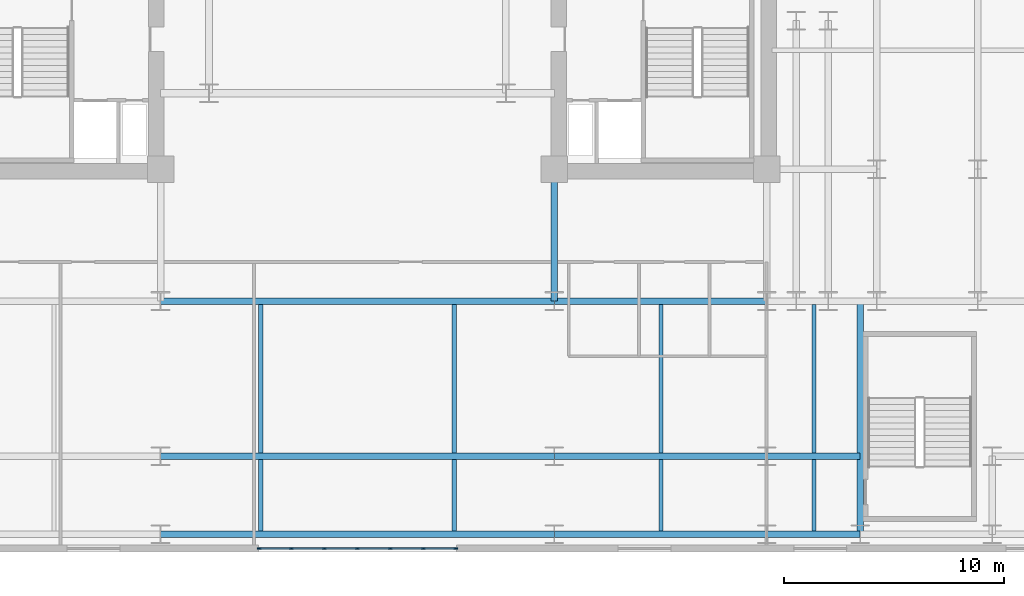
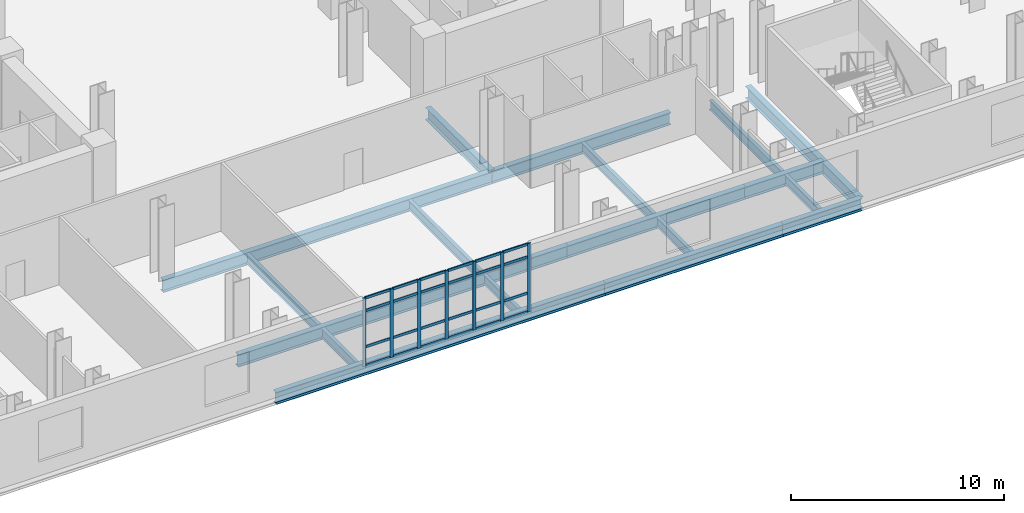
# One storey, part 3 of 13: 31 members, 18 beams, 1 element without a shape of its own.
"""IFC4 building model written with IfcOpenShell, lengths in metres."""

from ifc_helpers import new_model, si_unit, direction, frame, origin, origin_2d, place, context, subcontext, project, spatial, rectangle, i_section, extrude, material, layer, layer_set, material_profile, profile_set, type_object, element, aggregate, save


model = new_model("IFC4")

# Units and contexts
model_context = context("Model", 3, precision=1e-05, world=origin(), true_north=direction((0.0, 1.0)))
body_context = subcontext(model_context, "Body", "Model", "MODEL_VIEW")
ifc_project = project(units=[si_unit("LENGTHUNIT", "METRE"), si_unit("AREAUNIT", "SQUARE_METRE"), si_unit("VOLUMEUNIT", "CUBIC_METRE"), si_unit("PLANEANGLEUNIT", "RADIAN"), si_unit("MASSUNIT", "GRAM", prefix="KILO")], contexts=[model_context])

# Site, building, storey
site_placement = place(None, origin())
site = spatial("IfcSite", under=ifc_project, at=site_placement, CompositionType="ELEMENT")
building_placement = place(site_placement, origin())
building = spatial("IfcBuilding", under=site, at=building_placement, Name="Velakula Bourse", CompositionType="ELEMENT")
storey_placement = place(building_placement, frame((0.0, 0.0, 18.60009765625)))
storey = spatial("IfcBuildingStorey", under=building, at=storey_placement, Name="L04", CompositionType="ELEMENT", Elevation=18.60009765625)

# Beams
ifc_material_1 = material(Name="Steel IS 2062 Grade 350 (E350)", Category="steel")
ifc_material_profile_1 = material_profile(ifc_material_1, i_section(OverallWidth=0.300048828125, OverallDepth=0.699951171875, WebThickness=0.01611328125, FlangeThickness=0.02490234375, at=origin_2d()), Name="Steel IS 2062 Grade 350 (E350)")
ifc_profile_set_1 = profile_set([ifc_material_profile_1], Name="Steel IS 2062 Grade 350 (E350)")
beam_type_1 = type_object("IfcBeamType", Name="BM-POD-700", PredefinedType="BEAM", material=ifc_profile_set_1)
beam_1_placement = place(storey_placement, frame((8.949951171875, -14.60009765625, -0.60009765625), z_axis=(0.0, 1.0, 0.0), x_axis=(-1.0, 0.0, 0.0)))
element("IfcBeam", 1, at=beam_1_placement, inside=storey, type_object=beam_type_1, Name="L04 Fulcrum Grid Girder FLC-ECS", PredefinedType="BEAM", context=body_context, shape_type="SweptSolid", body=[
    extrude(i_section(OverallWidth=0.300048828125, OverallDepth=0.699951171875, WebThickness=0.01611328125, FlangeThickness=0.02490234375, at=origin_2d()), origin(), (0.0, 0.0, 1.0), 6.0),
])
beam_2_placement = place(storey_placement, frame((-8.949951171875, -14.60009765625, -0.60009765625), z_axis=(1.0, 0.0, 0.0), x_axis=(0.0, 1.0, 0.0)))
element("IfcBeam", 2, at=beam_2_placement, inside=storey, type_object=beam_type_1, Name="L04 Fulcrum Grid Girder FLC-S2", PredefinedType="BEAM", context=body_context, shape_type="SweptSolid", body=[
    extrude(i_section(OverallWidth=0.300048828125, OverallDepth=0.699951171875, WebThickness=0.01611328125, FlangeThickness=0.02490234375, at=origin_2d()), origin(), (0.0, 0.0, 1.0), 17.89990234375),
])
beam_3_placement = place(storey_placement, frame((8.949951171875, -14.60009765625, -0.60009765625), z_axis=(1.0, 0.0, 0.0), x_axis=(0.0, 1.0, 0.0)))
element("IfcBeam", 3, at=beam_3_placement, inside=storey, type_object=beam_type_1, Name="L04 Fulcrum Grid Girder FLC-S3", PredefinedType="BEAM", context=body_context, shape_type="SweptSolid", body=[
    extrude(i_section(OverallWidth=0.300048828125, OverallDepth=0.699951171875, WebThickness=0.01611328125, FlangeThickness=0.02490234375, at=origin_2d()), origin(), (0.0, 0.0, 1.0), 9.650146484375),
])
beam_4_placement = place(storey_placement, frame((22.85009765625, -25.199951171875, -0.60009765625), z_axis=(0.0, 1.0, 0.0), x_axis=(-1.0, 0.0, 0.0)))
element("IfcBeam", 4, at=beam_4_placement, inside=storey, type_object=beam_type_1, Name="L04 Podium Stairwell Header Girder STE", PredefinedType="BEAM", context=body_context, shape_type="SweptSolid", body=[
    extrude(i_section(OverallWidth=0.300048828125, OverallDepth=0.699951171875, WebThickness=0.01611328125, FlangeThickness=0.02490234375, at=origin_2d()), origin(), (0.0, 0.0, 1.0), 10.599853515625),
])
beam_5_placement = place(storey_placement, frame((-8.949951171875, -25.199951171875, -0.60009765625), z_axis=(1.0, 0.0, 0.0), x_axis=(0.0, 1.0, 0.0)))
element("IfcBeam", 5, at=beam_5_placement, inside=storey, type_object=beam_type_1, Name="L04 Podium E-W Girder 06", PredefinedType="BEAM", context=body_context, shape_type="SweptSolid", body=[
    extrude(i_section(OverallWidth=0.300048828125, OverallDepth=0.699951171875, WebThickness=0.01611328125, FlangeThickness=0.02490234375, at=origin_2d()), origin(), (0.0, 0.0, 1.0), 17.89990234375),
])
beam_6_placement = place(storey_placement, frame((8.949951171875, -25.199951171875, -0.60009765625), z_axis=(1.0, 0.0, 0.0), x_axis=(0.0, 1.0, 0.0)))
element("IfcBeam", 6, at=beam_6_placement, inside=storey, type_object=beam_type_1, Name="L04 Podium E-W Girder 07", PredefinedType="BEAM", context=body_context, shape_type="SweptSolid", body=[
    extrude(i_section(OverallWidth=0.300048828125, OverallDepth=0.699951171875, WebThickness=0.01611328125, FlangeThickness=0.02490234375, at=origin_2d()), origin(), (0.0, 0.0, 1.0), 9.650146484375),
])
beam_7_placement = place(storey_placement, frame((18.60009765625, -25.199951171875, -0.60009765625), z_axis=(1.0, 0.0, 0.0), x_axis=(0.0, 1.0, 0.0)))
element("IfcBeam", 7, at=beam_7_placement, inside=storey, type_object=beam_type_1, Name="L04 Podium E-W Girder 08", PredefinedType="BEAM", context=body_context, shape_type="SweptSolid", body=[
    extrude(i_section(OverallWidth=0.300048828125, OverallDepth=0.699951171875, WebThickness=0.01611328125, FlangeThickness=0.02490234375, at=origin_2d()), origin(), (0.0, 0.0, 1.0), 4.25),
])
beam_8_placement = place(storey_placement, frame((-8.949951171875, -21.64990234375, -0.60009765625), z_axis=(1.0, 0.0, 0.0), x_axis=(0.0, 1.0, 0.0)))
element("IfcBeam", 8, at=beam_8_placement, inside=storey, type_object=beam_type_1, Name="L04 Podium E-W Girder 16", PredefinedType="BEAM", context=body_context, shape_type="SweptSolid", body=[
    extrude(i_section(OverallWidth=0.300048828125, OverallDepth=0.699951171875, WebThickness=0.01611328125, FlangeThickness=0.02490234375, at=origin_2d()), origin(), (0.0, 0.0, 1.0), 17.89990234375),
])
beam_9_placement = place(storey_placement, frame((8.949951171875, -21.64990234375, -0.60009765625), z_axis=(1.0, 0.0, 0.0), x_axis=(0.0, 1.0, 0.0)))
element("IfcBeam", 9, at=beam_9_placement, inside=storey, type_object=beam_type_1, Name="L04 Podium E-W Girder 17", PredefinedType="BEAM", context=body_context, shape_type="SweptSolid", body=[
    extrude(i_section(OverallWidth=0.300048828125, OverallDepth=0.699951171875, WebThickness=0.01611328125, FlangeThickness=0.02490234375, at=origin_2d()), origin(), (0.0, 0.0, 1.0), 9.650146484375),
])
beam_10_placement = place(storey_placement, frame((18.60009765625, -21.64990234375, -0.60009765625), z_axis=(1.0, 0.0, 0.0), x_axis=(0.0, 1.0, 0.0)))
element("IfcBeam", 10, at=beam_10_placement, inside=storey, type_object=beam_type_1, Name="L04 Podium E-W Girder 18", PredefinedType="BEAM", context=body_context, shape_type="SweptSolid", body=[
    extrude(i_section(OverallWidth=0.300048828125, OverallDepth=0.699951171875, WebThickness=0.01611328125, FlangeThickness=0.02490234375, at=origin_2d()), origin(), (0.0, 0.0, 1.0), 4.25),
])
ifc_material_profile_2 = material_profile(ifc_material_1, i_section(OverallWidth=0.18994140625, OverallDepth=0.550048828125, WebThickness=0.01123046875, FlangeThickness=0.019287109375, at=origin_2d()), Name="Steel IS 2062 Grade 350 (E350)")
ifc_profile_set_2 = profile_set([ifc_material_profile_2], Name="Steel IS 2062 Grade 350 (E350)")
beam_type_2 = type_object("IfcBeamType", Name="JST-POD-550", PredefinedType="JOIST", material=ifc_profile_set_2)
beam_11_placement = place(storey_placement, frame((-4.39990234375, -25.050048828125, -0.525146484375), z_axis=(0.0, 1.0, 0.0), x_axis=(-1.0, 0.0, 0.0)))
element("IfcBeam", 11, at=beam_11_placement, inside=storey, type_object=beam_type_2, Name="L04 Station Podium Floor Joist 13", PredefinedType="JOIST", context=body_context, shape_type="SweptSolid", body=[
    extrude(i_section(OverallWidth=0.18994140625, OverallDepth=0.550048828125, WebThickness=0.01123046875, FlangeThickness=0.019287109375, at=origin_2d()), origin(), (0.0, 0.0, 1.0), 3.25),
])
beam_12_placement = place(storey_placement, frame((-4.39990234375, -21.5, -0.525146484375), z_axis=(0.0, 1.0, 0.0), x_axis=(-1.0, 0.0, 0.0)))
element("IfcBeam", 12, at=beam_12_placement, inside=storey, type_object=beam_type_2, Name="L04 Station Podium Floor Joist 14", PredefinedType="JOIST", context=body_context, shape_type="SweptSolid", body=[
    extrude(i_section(OverallWidth=0.18994140625, OverallDepth=0.550048828125, WebThickness=0.01123046875, FlangeThickness=0.019287109375, at=origin_2d()), origin(), (0.0, 0.0, 1.0), 6.75),
])
beam_13_placement = place(storey_placement, frame((4.39990234375, -25.050048828125, -0.525146484375), z_axis=(0.0, 1.0, 0.0), x_axis=(-1.0, 0.0, 0.0)))
element("IfcBeam", 13, at=beam_13_placement, inside=storey, type_object=beam_type_2, Name="L04 Station Podium Floor Joist 17", PredefinedType="JOIST", context=body_context, shape_type="SweptSolid", body=[
    extrude(i_section(OverallWidth=0.18994140625, OverallDepth=0.550048828125, WebThickness=0.01123046875, FlangeThickness=0.019287109375, at=origin_2d()), origin(), (0.0, 0.0, 1.0), 3.25),
])
beam_14_placement = place(storey_placement, frame((4.39990234375, -21.5, -0.525146484375), z_axis=(0.0, 1.0, 0.0), x_axis=(-1.0, 0.0, 0.0)))
element("IfcBeam", 14, at=beam_14_placement, inside=storey, type_object=beam_type_2, Name="L04 Station Podium Floor Joist 18", PredefinedType="JOIST", context=body_context, shape_type="SweptSolid", body=[
    extrude(i_section(OverallWidth=0.18994140625, OverallDepth=0.550048828125, WebThickness=0.01123046875, FlangeThickness=0.019287109375, at=origin_2d()), origin(), (0.0, 0.0, 1.0), 6.75),
])
beam_15_placement = place(storey_placement, frame((13.800048828125, -25.050048828125, -0.525146484375), z_axis=(0.0, 1.0, 0.0), x_axis=(-1.0, 0.0, 0.0)))
element("IfcBeam", 15, at=beam_15_placement, inside=storey, type_object=beam_type_2, Name="L04 Station Podium Floor Joist 21", PredefinedType="JOIST", context=body_context, shape_type="SweptSolid", body=[
    extrude(i_section(OverallWidth=0.18994140625, OverallDepth=0.550048828125, WebThickness=0.01123046875, FlangeThickness=0.019287109375, at=origin_2d()), origin(), (0.0, 0.0, 1.0), 3.25),
])
beam_16_placement = place(storey_placement, frame((13.800048828125, -21.5, -0.525146484375), z_axis=(0.0, 1.0, 0.0), x_axis=(-1.0, 0.0, 0.0)))
element("IfcBeam", 16, at=beam_16_placement, inside=storey, type_object=beam_type_2, Name="L04 Station Podium Floor Joist 22", PredefinedType="JOIST", context=body_context, shape_type="SweptSolid", body=[
    extrude(i_section(OverallWidth=0.18994140625, OverallDepth=0.550048828125, WebThickness=0.01123046875, FlangeThickness=0.019287109375, at=origin_2d()), origin(), (0.0, 0.0, 1.0), 6.75),
])
beam_17_placement = place(storey_placement, frame((20.75, -25.050048828125, -0.525146484375), z_axis=(0.0, 1.0, 0.0), x_axis=(-1.0, 0.0, 0.0)))
element("IfcBeam", 17, at=beam_17_placement, inside=storey, type_object=beam_type_2, Name="L04 Station Podium Floor Joist 25", PredefinedType="JOIST", context=body_context, shape_type="SweptSolid", body=[
    extrude(i_section(OverallWidth=0.18994140625, OverallDepth=0.550048828125, WebThickness=0.01123046875, FlangeThickness=0.019287109375, at=origin_2d()), origin(), (0.0, 0.0, 1.0), 3.25),
])
beam_18_placement = place(storey_placement, frame((20.75, -21.5, -0.525146484375), z_axis=(0.0, 1.0, 0.0), x_axis=(-1.0, 0.0, 0.0)))
element("IfcBeam", 18, at=beam_18_placement, inside=storey, type_object=beam_type_2, Name="L04 Station Podium Floor Joist 26", PredefinedType="JOIST", context=body_context, shape_type="SweptSolid", body=[
    extrude(i_section(OverallWidth=0.18994140625, OverallDepth=0.550048828125, WebThickness=0.01123046875, FlangeThickness=0.019287109375, at=origin_2d()), origin(), (0.0, 0.0, 1.0), 6.75),
])

# Curtain wall, members
ifc_material_2 = material(Name="Anodised bronze architectural aluminium", Category="aluminium")
ifc_layer = layer(ifc_material_2, 0.179931640625, Name="Anodised bronze architectural aluminium", Category="aluminium")
ifc_layer_set = layer_set([ifc_layer], Name="Anodised bronze architectural aluminium")
curtain_wall_type = type_object("IfcCurtainWallType", Name="CW-PD1", PredefinedType="NOTDEFINED", material=ifc_layer_set)
curtain_wall_placement = place(storey_placement, origin())
curtain_wall = element("IfcCurtainWall", 19, at=curtain_wall_placement, inside=storey, type_object=curtain_wall_type, Name="L04 South Station Galleria Curtain Wall 2", PredefinedType="NOTDEFINED")
ifc_material_profile_3 = material_profile(ifc_material_2, rectangle(XDim=0.06005859375, YDim=0.179931640625, at=origin_2d()), Name="Anodised bronze architectural aluminium")
ifc_profile_set_3 = profile_set([ifc_material_profile_3], Name="Anodised bronze architectural aluminium")
member_type_1 = type_object("IfcMemberType", Name="MUL-CW-PD1", PredefinedType="MULLION", material=ifc_profile_set_3)
member_1_placement = place(storey_placement, frame((4.469970703125, -25.840087890625, 0.0), z_axis=(0.0, 0.0, 1.0), x_axis=(0.0, -1.0, 0.0)))
member_1 = element("IfcMember", 20, at=member_1_placement, type_object=member_type_1, Name="CW-PD1 mullion 1", PredefinedType="MULLION", context=body_context, shape_type="SweptSolid", body=[
    extrude(rectangle(XDim=0.06005859375, YDim=0.179931640625, at=origin_2d()), origin(), (0.0, 0.0, 1.0), 3.929931640625),
])
member_2_placement = place(storey_placement, frame((3.0, -25.840087890625, 0.0), z_axis=(0.0, 0.0, 1.0), x_axis=(0.0, -1.0, 0.0)))
member_2 = element("IfcMember", 21, at=member_2_placement, type_object=member_type_1, Name="CW-PD1 mullion 2", PredefinedType="MULLION", context=body_context, shape_type="SweptSolid", body=[
    extrude(rectangle(XDim=0.06005859375, YDim=0.179931640625, at=origin_2d()), origin(), (0.0, 0.0, 1.0), 3.929931640625),
])
member_3_placement = place(storey_placement, frame((1.5, -25.840087890625, 0.0), z_axis=(0.0, 0.0, 1.0), x_axis=(0.0, -1.0, 0.0)))
member_3 = element("IfcMember", 22, at=member_3_placement, type_object=member_type_1, Name="CW-PD1 mullion 3", PredefinedType="MULLION", context=body_context, shape_type="SweptSolid", body=[
    extrude(rectangle(XDim=0.06005859375, YDim=0.179931640625, at=origin_2d()), origin(), (0.0, 0.0, 1.0), 3.929931640625),
])
member_4_placement = place(storey_placement, frame((0.0, -25.840087890625, 0.0), z_axis=(0.0, 0.0, 1.0), x_axis=(0.0, -1.0, 0.0)))
member_4 = element("IfcMember", 23, at=member_4_placement, type_object=member_type_1, Name="CW-PD1 mullion 4", PredefinedType="MULLION", context=body_context, shape_type="SweptSolid", body=[
    extrude(rectangle(XDim=0.06005859375, YDim=0.179931640625, at=origin_2d()), origin(), (0.0, 0.0, 1.0), 3.929931640625),
])
member_5_placement = place(storey_placement, frame((-1.5, -25.840087890625, 0.0), z_axis=(0.0, 0.0, 1.0), x_axis=(0.0, -1.0, 0.0)))
member_5 = element("IfcMember", 24, at=member_5_placement, type_object=member_type_1, Name="CW-PD1 mullion 5", PredefinedType="MULLION", context=body_context, shape_type="SweptSolid", body=[
    extrude(rectangle(XDim=0.06005859375, YDim=0.179931640625, at=origin_2d()), origin(), (0.0, 0.0, 1.0), 3.929931640625),
])
member_6_placement = place(storey_placement, frame((-3.0, -25.840087890625, 0.0), z_axis=(0.0, 0.0, 1.0), x_axis=(0.0, -1.0, 0.0)))
member_6 = element("IfcMember", 25, at=member_6_placement, type_object=member_type_1, Name="CW-PD1 mullion 6", PredefinedType="MULLION", context=body_context, shape_type="SweptSolid", body=[
    extrude(rectangle(XDim=0.06005859375, YDim=0.179931640625, at=origin_2d()), origin(), (0.0, 0.0, 1.0), 3.929931640625),
])
member_7_placement = place(storey_placement, frame((-4.469970703125, -25.840087890625, 0.0), z_axis=(0.0, 0.0, 1.0), x_axis=(0.0, -1.0, 0.0)))
member_7 = element("IfcMember", 26, at=member_7_placement, type_object=member_type_1, Name="CW-PD1 mullion 7", PredefinedType="MULLION", context=body_context, shape_type="SweptSolid", body=[
    extrude(rectangle(XDim=0.06005859375, YDim=0.179931640625, at=origin_2d()), origin(), (0.0, 0.0, 1.0), 3.929931640625),
])
ifc_material_profile_4 = material_profile(ifc_material_2, rectangle(XDim=0.06005859375, YDim=0.14990234375, at=origin_2d()), Name="Anodised bronze architectural aluminium")
ifc_profile_set_4 = profile_set([ifc_material_profile_4], Name="Anodised bronze architectural aluminium")
member_type_2 = type_object("IfcMemberType", Name="TRN-CW-PD1", PredefinedType="USERDEFINED", material=ifc_profile_set_4)
member_8_placement = place(storey_placement, frame((4.43994140625, -25.840087890625, 0.02978515625), z_axis=(-1.0, 0.0, 0.0), x_axis=(0.0, -1.0, 0.0)))
member_8 = element("IfcMember", 27, at=member_8_placement, type_object=member_type_2, Name="CW-PD1 transom 1.1", ObjectType="TRANSOM", PredefinedType="USERDEFINED", context=body_context, shape_type="SweptSolid", body=[
    extrude(rectangle(XDim=0.06005859375, YDim=0.14990234375, at=origin_2d()), origin(), (0.0, 0.0, 1.0), 1.409912109375),
])
member_9_placement = place(storey_placement, frame((4.43994140625, -25.840087890625, 1.099853515625), z_axis=(-1.0, 0.0, 0.0), x_axis=(0.0, -1.0, 0.0)))
member_9 = element("IfcMember", 28, at=member_9_placement, type_object=member_type_2, Name="CW-PD1 transom 1.2", ObjectType="TRANSOM", PredefinedType="USERDEFINED", context=body_context, shape_type="SweptSolid", body=[
    extrude(rectangle(XDim=0.06005859375, YDim=0.14990234375, at=origin_2d()), origin(), (0.0, 0.0, 1.0), 1.409912109375),
])
member_10_placement = place(storey_placement, frame((4.43994140625, -25.840087890625, 3.179931640625), z_axis=(-1.0, 0.0, 0.0), x_axis=(0.0, -1.0, 0.0)))
member_10 = element("IfcMember", 29, at=member_10_placement, type_object=member_type_2, Name="CW-PD1 transom 1.3", ObjectType="TRANSOM", PredefinedType="USERDEFINED", context=body_context, shape_type="SweptSolid", body=[
    extrude(rectangle(XDim=0.06005859375, YDim=0.14990234375, at=origin_2d()), origin(), (0.0, 0.0, 1.0), 1.409912109375),
])
member_11_placement = place(storey_placement, frame((4.43994140625, -25.840087890625, 3.89990234375), z_axis=(-1.0, 0.0, 0.0), x_axis=(0.0, -1.0, 0.0)))
member_11 = element("IfcMember", 30, at=member_11_placement, type_object=member_type_2, Name="CW-PD1 transom 1.4", ObjectType="TRANSOM", PredefinedType="USERDEFINED", context=body_context, shape_type="SweptSolid", body=[
    extrude(rectangle(XDim=0.06005859375, YDim=0.14990234375, at=origin_2d()), origin(), (0.0, 0.0, 1.0), 1.409912109375),
])
member_12_placement = place(storey_placement, frame((2.969970703125, -25.840087890625, 0.02978515625), z_axis=(-1.0, 0.0, 0.0), x_axis=(0.0, -1.0, 0.0)))
member_12 = element("IfcMember", 31, at=member_12_placement, type_object=member_type_2, Name="CW-PD1 transom 2.1", ObjectType="TRANSOM", PredefinedType="USERDEFINED", context=body_context, shape_type="SweptSolid", body=[
    extrude(rectangle(XDim=0.06005859375, YDim=0.14990234375, at=origin_2d()), origin(), (0.0, 0.0, 1.0), 1.43994140625),
])
member_13_placement = place(storey_placement, frame((2.969970703125, -25.840087890625, 1.099853515625), z_axis=(-1.0, 0.0, 0.0), x_axis=(0.0, -1.0, 0.0)))
member_13 = element("IfcMember", 32, at=member_13_placement, type_object=member_type_2, Name="CW-PD1 transom 2.2", ObjectType="TRANSOM", PredefinedType="USERDEFINED", context=body_context, shape_type="SweptSolid", body=[
    extrude(rectangle(XDim=0.06005859375, YDim=0.14990234375, at=origin_2d()), origin(), (0.0, 0.0, 1.0), 1.43994140625),
])
member_14_placement = place(storey_placement, frame((2.969970703125, -25.840087890625, 3.179931640625), z_axis=(-1.0, 0.0, 0.0), x_axis=(0.0, -1.0, 0.0)))
member_14 = element("IfcMember", 33, at=member_14_placement, type_object=member_type_2, Name="CW-PD1 transom 2.3", ObjectType="TRANSOM", PredefinedType="USERDEFINED", context=body_context, shape_type="SweptSolid", body=[
    extrude(rectangle(XDim=0.06005859375, YDim=0.14990234375, at=origin_2d()), origin(), (0.0, 0.0, 1.0), 1.43994140625),
])
member_15_placement = place(storey_placement, frame((2.969970703125, -25.840087890625, 3.89990234375), z_axis=(-1.0, 0.0, 0.0), x_axis=(0.0, -1.0, 0.0)))
member_15 = element("IfcMember", 34, at=member_15_placement, type_object=member_type_2, Name="CW-PD1 transom 2.4", ObjectType="TRANSOM", PredefinedType="USERDEFINED", context=body_context, shape_type="SweptSolid", body=[
    extrude(rectangle(XDim=0.06005859375, YDim=0.14990234375, at=origin_2d()), origin(), (0.0, 0.0, 1.0), 1.43994140625),
])
member_16_placement = place(storey_placement, frame((1.469970703125, -25.840087890625, 0.02978515625), z_axis=(-1.0, 0.0, 0.0), x_axis=(0.0, -1.0, 0.0)))
member_16 = element("IfcMember", 35, at=member_16_placement, type_object=member_type_2, Name="CW-PD1 transom 3.1", ObjectType="TRANSOM", PredefinedType="USERDEFINED", context=body_context, shape_type="SweptSolid", body=[
    extrude(rectangle(XDim=0.06005859375, YDim=0.14990234375, at=origin_2d()), origin(), (0.0, 0.0, 1.0), 1.43994140625),
])
member_17_placement = place(storey_placement, frame((1.469970703125, -25.840087890625, 1.099853515625), z_axis=(-1.0, 0.0, 0.0), x_axis=(0.0, -1.0, 0.0)))
member_17 = element("IfcMember", 36, at=member_17_placement, type_object=member_type_2, Name="CW-PD1 transom 3.2", ObjectType="TRANSOM", PredefinedType="USERDEFINED", context=body_context, shape_type="SweptSolid", body=[
    extrude(rectangle(XDim=0.06005859375, YDim=0.14990234375, at=origin_2d()), origin(), (0.0, 0.0, 1.0), 1.43994140625),
])
member_18_placement = place(storey_placement, frame((1.469970703125, -25.840087890625, 3.179931640625), z_axis=(-1.0, 0.0, 0.0), x_axis=(0.0, -1.0, 0.0)))
member_18 = element("IfcMember", 37, at=member_18_placement, type_object=member_type_2, Name="CW-PD1 transom 3.3", ObjectType="TRANSOM", PredefinedType="USERDEFINED", context=body_context, shape_type="SweptSolid", body=[
    extrude(rectangle(XDim=0.06005859375, YDim=0.14990234375, at=origin_2d()), origin(), (0.0, 0.0, 1.0), 1.43994140625),
])
member_19_placement = place(storey_placement, frame((1.469970703125, -25.840087890625, 3.89990234375), z_axis=(-1.0, 0.0, 0.0), x_axis=(0.0, -1.0, 0.0)))
member_19 = element("IfcMember", 38, at=member_19_placement, type_object=member_type_2, Name="CW-PD1 transom 3.4", ObjectType="TRANSOM", PredefinedType="USERDEFINED", context=body_context, shape_type="SweptSolid", body=[
    extrude(rectangle(XDim=0.06005859375, YDim=0.14990234375, at=origin_2d()), origin(), (0.0, 0.0, 1.0), 1.43994140625),
])
member_20_placement = place(storey_placement, frame((-0.030029296875, -25.840087890625, 0.02978515625), z_axis=(-1.0, 0.0, 0.0), x_axis=(0.0, -1.0, 0.0)))
member_20 = element("IfcMember", 39, at=member_20_placement, type_object=member_type_2, Name="CW-PD1 transom 4.1", ObjectType="TRANSOM", PredefinedType="USERDEFINED", context=body_context, shape_type="SweptSolid", body=[
    extrude(rectangle(XDim=0.06005859375, YDim=0.14990234375, at=origin_2d()), origin(), (0.0, 0.0, 1.0), 1.43994140625),
])
member_21_placement = place(storey_placement, frame((-0.030029296875, -25.840087890625, 1.099853515625), z_axis=(-1.0, 0.0, 0.0), x_axis=(0.0, -1.0, 0.0)))
member_21 = element("IfcMember", 40, at=member_21_placement, type_object=member_type_2, Name="CW-PD1 transom 4.2", ObjectType="TRANSOM", PredefinedType="USERDEFINED", context=body_context, shape_type="SweptSolid", body=[
    extrude(rectangle(XDim=0.06005859375, YDim=0.14990234375, at=origin_2d()), origin(), (0.0, 0.0, 1.0), 1.43994140625),
])
member_22_placement = place(storey_placement, frame((-0.030029296875, -25.840087890625, 3.179931640625), z_axis=(-1.0, 0.0, 0.0), x_axis=(0.0, -1.0, 0.0)))
member_22 = element("IfcMember", 41, at=member_22_placement, type_object=member_type_2, Name="CW-PD1 transom 4.3", ObjectType="TRANSOM", PredefinedType="USERDEFINED", context=body_context, shape_type="SweptSolid", body=[
    extrude(rectangle(XDim=0.06005859375, YDim=0.14990234375, at=origin_2d()), origin(), (0.0, 0.0, 1.0), 1.43994140625),
])
member_23_placement = place(storey_placement, frame((-0.030029296875, -25.840087890625, 3.89990234375), z_axis=(-1.0, 0.0, 0.0), x_axis=(0.0, -1.0, 0.0)))
member_23 = element("IfcMember", 42, at=member_23_placement, type_object=member_type_2, Name="CW-PD1 transom 4.4", ObjectType="TRANSOM", PredefinedType="USERDEFINED", context=body_context, shape_type="SweptSolid", body=[
    extrude(rectangle(XDim=0.06005859375, YDim=0.14990234375, at=origin_2d()), origin(), (0.0, 0.0, 1.0), 1.43994140625),
])
member_24_placement = place(storey_placement, frame((-1.530029296875, -25.840087890625, 0.02978515625), z_axis=(-1.0, 0.0, 0.0), x_axis=(0.0, -1.0, 0.0)))
member_24 = element("IfcMember", 43, at=member_24_placement, type_object=member_type_2, Name="CW-PD1 transom 5.1", ObjectType="TRANSOM", PredefinedType="USERDEFINED", context=body_context, shape_type="SweptSolid", body=[
    extrude(rectangle(XDim=0.06005859375, YDim=0.14990234375, at=origin_2d()), origin(), (0.0, 0.0, 1.0), 1.43994140625),
])
member_25_placement = place(storey_placement, frame((-1.530029296875, -25.840087890625, 1.099853515625), z_axis=(-1.0, 0.0, 0.0), x_axis=(0.0, -1.0, 0.0)))
member_25 = element("IfcMember", 44, at=member_25_placement, type_object=member_type_2, Name="CW-PD1 transom 5.2", ObjectType="TRANSOM", PredefinedType="USERDEFINED", context=body_context, shape_type="SweptSolid", body=[
    extrude(rectangle(XDim=0.06005859375, YDim=0.14990234375, at=origin_2d()), origin(), (0.0, 0.0, 1.0), 1.43994140625),
])
member_26_placement = place(storey_placement, frame((-1.530029296875, -25.840087890625, 3.179931640625), z_axis=(-1.0, 0.0, 0.0), x_axis=(0.0, -1.0, 0.0)))
member_26 = element("IfcMember", 45, at=member_26_placement, type_object=member_type_2, Name="CW-PD1 transom 5.3", ObjectType="TRANSOM", PredefinedType="USERDEFINED", context=body_context, shape_type="SweptSolid", body=[
    extrude(rectangle(XDim=0.06005859375, YDim=0.14990234375, at=origin_2d()), origin(), (0.0, 0.0, 1.0), 1.43994140625),
])
member_27_placement = place(storey_placement, frame((-1.530029296875, -25.840087890625, 3.89990234375), z_axis=(-1.0, 0.0, 0.0), x_axis=(0.0, -1.0, 0.0)))
member_27 = element("IfcMember", 46, at=member_27_placement, type_object=member_type_2, Name="CW-PD1 transom 5.4", ObjectType="TRANSOM", PredefinedType="USERDEFINED", context=body_context, shape_type="SweptSolid", body=[
    extrude(rectangle(XDim=0.06005859375, YDim=0.14990234375, at=origin_2d()), origin(), (0.0, 0.0, 1.0), 1.43994140625),
])
member_28_placement = place(storey_placement, frame((-3.030029296875, -25.840087890625, 0.02978515625), z_axis=(-1.0, 0.0, 0.0), x_axis=(0.0, -1.0, 0.0)))
member_28 = element("IfcMember", 47, at=member_28_placement, type_object=member_type_2, Name="CW-PD1 transom 6.1", ObjectType="TRANSOM", PredefinedType="USERDEFINED", context=body_context, shape_type="SweptSolid", body=[
    extrude(rectangle(XDim=0.06005859375, YDim=0.14990234375, at=origin_2d()), origin(), (0.0, 0.0, 1.0), 1.409912109375),
])
member_29_placement = place(storey_placement, frame((-3.030029296875, -25.840087890625, 1.099853515625), z_axis=(-1.0, 0.0, 0.0), x_axis=(0.0, -1.0, 0.0)))
member_29 = element("IfcMember", 48, at=member_29_placement, type_object=member_type_2, Name="CW-PD1 transom 6.2", ObjectType="TRANSOM", PredefinedType="USERDEFINED", context=body_context, shape_type="SweptSolid", body=[
    extrude(rectangle(XDim=0.06005859375, YDim=0.14990234375, at=origin_2d()), origin(), (0.0, 0.0, 1.0), 1.409912109375),
])
member_30_placement = place(storey_placement, frame((-3.030029296875, -25.840087890625, 3.179931640625), z_axis=(-1.0, 0.0, 0.0), x_axis=(0.0, -1.0, 0.0)))
member_30 = element("IfcMember", 49, at=member_30_placement, type_object=member_type_2, Name="CW-PD1 transom 6.3", ObjectType="TRANSOM", PredefinedType="USERDEFINED", context=body_context, shape_type="SweptSolid", body=[
    extrude(rectangle(XDim=0.06005859375, YDim=0.14990234375, at=origin_2d()), origin(), (0.0, 0.0, 1.0), 1.409912109375),
])
member_31_placement = place(storey_placement, frame((-3.030029296875, -25.840087890625, 3.89990234375), z_axis=(-1.0, 0.0, 0.0), x_axis=(0.0, -1.0, 0.0)))
member_31 = element("IfcMember", 50, at=member_31_placement, type_object=member_type_2, Name="CW-PD1 transom 6.4", ObjectType="TRANSOM", PredefinedType="USERDEFINED", context=body_context, shape_type="SweptSolid", body=[
    extrude(rectangle(XDim=0.06005859375, YDim=0.14990234375, at=origin_2d()), origin(), (0.0, 0.0, 1.0), 1.409912109375),
])
aggregate(curtain_wall, [member_1, member_2, member_3, member_4, member_5, member_6, member_7, member_8, member_9, member_10, member_11, member_12, member_13, member_14, member_15, member_16, member_17, member_18, member_19, member_20, member_21, member_22, member_23, member_24, member_25, member_26, member_27, member_28, member_29, member_30, member_31])

save(model, "model.ifc")
